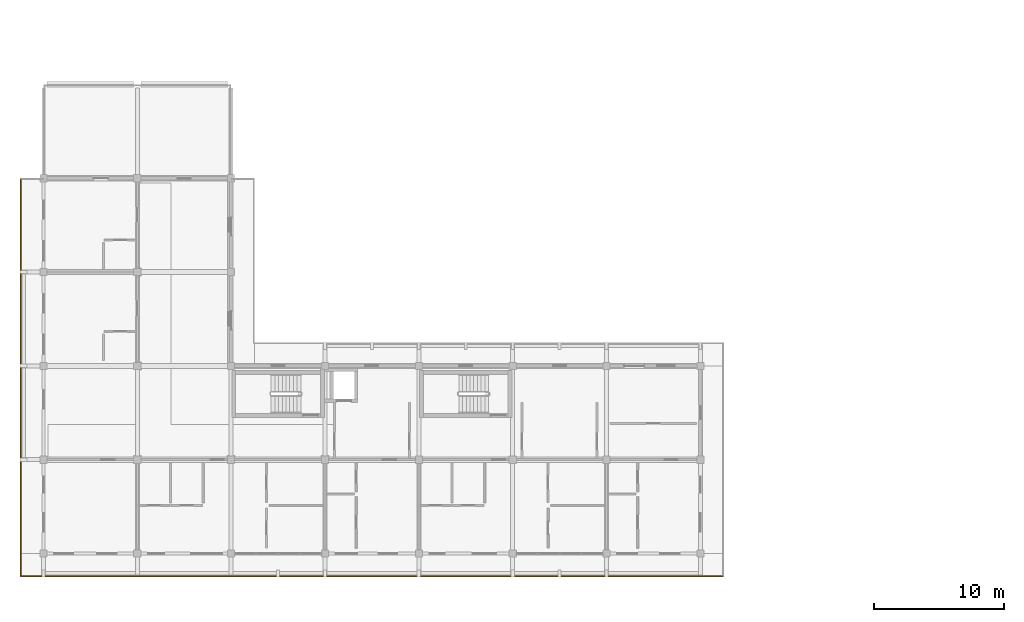
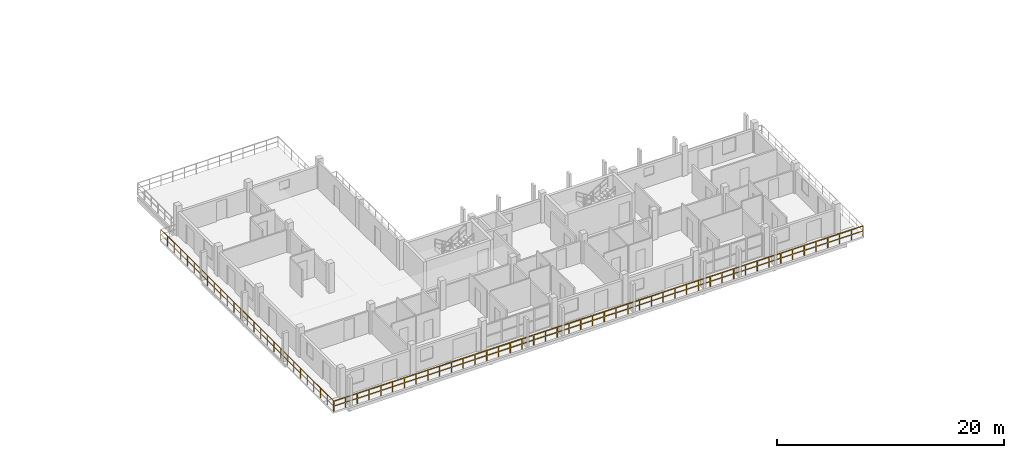
# One storey, part 54 of 67: 2 railings.
"""IFC4 building model written with IfcOpenShell, lengths in metres."""

import ifcopenshell
import ifcopenshell.guid

model = None  # the IFC model being written
_history = None  # IfcOwnerHistory: only IFC2X3 demands one
_inside = {}  # id of a spatial element -> (the spatial element, [elements in it])
_under = {}  # id of a project, library or spatial element -> (it, [spatial elements below it])
_declared = {}  # id of a project -> (the project, [libraries it declares])
_typed = {}  # id of a type object -> (the type object, [elements of that type])
_made_of = {}  # id of a material, layer set ... -> (it, [elements and type objects made of it])


def new_model(schema):
    """Start an empty IFC model of exactly this schema.

    Asked for "IFC4X3", IfcOpenShell would pick the latest addendum, in which some entities
    have other attributes; the version numbers below select the first issue.
    IFC2X3 requires an IfcOwnerHistory on every rooted entity: one is made here for all.
    """
    global model, _history
    if schema == "IFC4X3":
        model = ifcopenshell.file(schema_version=(4, 3, 0, 0))
    else:
        model = ifcopenshell.file(schema=schema)
    _inside.clear()
    _under.clear()
    _declared.clear()
    _typed.clear()
    _made_of.clear()
    _history = None
    if model.schema == "IFC2X3":
        org = make("IfcOrganization", Name="unknown")
        user = make(
            "IfcPersonAndOrganization",
            ThePerson=make("IfcPerson", FamilyName="unknown"),
            TheOrganization=org,
        )
        app = make(
            "IfcApplication",
            ApplicationDeveloper=org,
            Version="unknown",
            ApplicationFullName="unknown",
            ApplicationIdentifier="unknown",
        )
        _history = make(
            "IfcOwnerHistory",
            OwningUser=user,
            OwningApplication=app,
            ChangeAction="ADDED",
            CreationDate=0,
        )
    return model


def make(cls, **values):
    """One entity of the class cls with the attributes given. An attribute that is None is left unset."""
    return model.create_entity(
        cls, **{name: value for name, value in values.items() if value is not None}
    )


def rooted(cls, **values):
    """An entity with a GlobalId (a new one), such as an element, a storey or a relation."""
    return make(cls, GlobalId=ifcopenshell.guid.new(), OwnerHistory=_history, **values)


def si_unit(unit_type, name, prefix=None):
    """IfcSIUnit, for example si_unit("LENGTHUNIT", "METRE", prefix="MILLI")."""
    return make("IfcSIUnit", UnitType=unit_type, Prefix=prefix, Name=name)


def assignment(units):
    """IfcUnitAssignment: the units of a project."""
    return None if units is None else make("IfcUnitAssignment", Units=units)


def point(xyz):
    """IfcCartesianPoint."""
    return None if xyz is None else make("IfcCartesianPoint", Coordinates=xyz)


def direction(xyz):
    """IfcDirection."""
    return None if xyz is None else make("IfcDirection", DirectionRatios=xyz)


def frame(location, z_axis=None, x_axis=None):
    """IfcAxis2Placement3D, a coordinate frame: its origin and axes. An axis left out is left unset."""
    return make(
        "IfcAxis2Placement3D",
        Location=point(location),
        Axis=direction(z_axis),
        RefDirection=direction(x_axis),
    )


def frame_2d(location, x_axis=None):
    """IfcAxis2Placement2D, a coordinate frame in the plane: its origin and x axis."""
    return make(
        "IfcAxis2Placement2D", Location=point(location), RefDirection=direction(x_axis)
    )


def origin():
    """The frame at (0, 0, 0) with its axes left unset."""
    return frame((0.0, 0.0, 0.0))


def origin_2d():
    """The frame at (0, 0) in the plane with its x axis left unset."""
    return frame_2d((0.0, 0.0))


def place(relative_to, where):
    """IfcLocalPlacement: puts the frame where relative to a parent placement (None: the world)."""
    return make(
        "IfcLocalPlacement", PlacementRelTo=relative_to, RelativePlacement=where
    )


def context(
    kind, dimensions, precision=None, world=None, true_north=None, identifier=None
):
    """IfcGeometricRepresentationContext, for example the 3D "Model" context."""
    return make(
        "IfcGeometricRepresentationContext",
        ContextIdentifier=identifier,
        ContextType=kind,
        CoordinateSpaceDimension=dimensions,
        Precision=precision,
        WorldCoordinateSystem=world,
        TrueNorth=true_north,
    )


def subcontext(parent, identifier, kind, view, scale=None):
    """IfcGeometricRepresentationSubContext, for example "Body" below "Model"."""
    return make(
        "IfcGeometricRepresentationSubContext",
        ContextIdentifier=identifier,
        ContextType=kind,
        ParentContext=parent,
        TargetScale=scale,
        TargetView=view,
    )


def project(units=None, contexts=None):
    """IfcProject with its units and contexts."""
    return rooted(
        "IfcProject",
        Name="project",
        RepresentationContexts=contexts,
        UnitsInContext=assignment(units),
    )


def spatial(cls, under=None, at=None, **own):
    """A site, building, storey or space (cls), placed at a placement, below another one or the project."""
    s = rooted(cls, ObjectPlacement=at, **own)
    if under is not None:
        _under.setdefault(under.id(), (under, []))[1].append(s)
    return s


def profile(cls, at=None, kind="AREA", **sizes):
    """A parametric profile (cls). Its sizes go by their IFC names, for example OverallWidth=200.0."""
    return make(cls, ProfileType=kind, Position=at, **sizes)


def rectangle(**sizes):
    """IfcRectangleProfileDef."""
    return profile("IfcRectangleProfileDef", **sizes)


def extrude(swept, where, along, depth):
    """IfcExtrudedAreaSolid: the profile swept, set in the frame where, extruded along a direction by depth."""
    return make(
        "IfcExtrudedAreaSolid",
        SweptArea=swept,
        Position=where,
        ExtrudedDirection=direction(along),
        Depth=depth,
    )


def shape(context_of_items, identifier, shape_type, items):
    """IfcShapeRepresentation: the items that make up one representation, for example the "Body"."""
    return make(
        "IfcShapeRepresentation",
        ContextOfItems=context_of_items,
        RepresentationIdentifier=identifier,
        RepresentationType=shape_type,
        Items=items,
    )


def material(Name=None, Category=None):
    """IfcMaterial."""
    return make("IfcMaterial", Name=Name, Category=Category)


def made_of(thing, what):
    """Note that an element or type object is made of a material, layer set ...; save() writes the relation."""
    if what is not None:
        _made_of.setdefault(what.id(), (what, []))[1].append(thing)
    return thing


def type_object(cls, material=None, **own):
    """A type object (cls), such as IfcWallType, which elements share."""
    return made_of(rooted(cls, **own), material)


def element(
    cls,
    number,
    at=None,
    inside=None,
    cuts=None,
    type_object=None,
    material=None,
    context=None,
    identifier="Body",
    shape_type=None,
    held_by="IfcProductDefinitionShape",
    body=None,
    shapes=None,
    **own,
):
    """One element of the class cls, such as IfcWall. Its Tag is "e" and its number.

    at: its placement. inside: the storey or other place that contains it. cuts: it is an
    opening in that element (IfcRelVoidsElement). A single representation is given by context,
    identifier, shape_type and body (its items); several are given by shapes. held_by: the class
    of the entity that holds the representations. save() writes the other relations.
    """
    e = rooted(cls, Tag="e%d" % number, ObjectPlacement=at, **own)
    if body is not None:
        shapes = [shape(context, identifier, shape_type, body)]
    if shapes is not None:
        e.Representation = make(held_by, Representations=shapes)
    if inside is not None:
        _inside.setdefault(inside.id(), (inside, []))[1].append(e)
    if cuts is not None:
        rooted(
            "IfcRelVoidsElement", RelatingBuildingElement=cuts, RelatedOpeningElement=e
        )
    if type_object is not None:
        _typed.setdefault(type_object.id(), (type_object, []))[1].append(e)
    return made_of(e, material)


def aggregate(whole, parts):
    """IfcRelAggregates: a whole, such as a stair, and the parts it consists of."""
    return rooted("IfcRelAggregates", RelatingObject=whole, RelatedObjects=parts)


def save(model, path):
    """Write the relations noted so far, then the file.

    IfcRelAggregates (storeys below a building ...), IfcRelContainedInSpatialStructure (elements
    in a storey), IfcRelDefinesByType, IfcRelAssociatesMaterial and IfcRelDeclares: one each for
    every whole, place, type object, material and project.
    """
    for whole, parts in _under.values():
        aggregate(whole, parts)
    for where, things in _inside.values():
        rooted(
            "IfcRelContainedInSpatialStructure",
            RelatedElements=things,
            RelatingStructure=where,
        )
    for kind, things in _typed.values():
        rooted("IfcRelDefinesByType", RelatedObjects=things, RelatingType=kind)
    for what, things in _made_of.values():
        rooted("IfcRelAssociatesMaterial", RelatedObjects=things, RelatingMaterial=what)
    for by, libraries in _declared.values():
        rooted("IfcRelDeclares", RelatingContext=by, RelatedDefinitions=libraries)
    model.write(path)


model = new_model("IFC4")

# Units and contexts
model_context = context("Model", 3, precision=1e-05, world=origin(), true_north=direction((0.0, 1.0)))
body_context = subcontext(model_context, "Body", "Model", "MODEL_VIEW")
ifc_project = project(units=[si_unit("LENGTHUNIT", "METRE"), si_unit("AREAUNIT", "SQUARE_METRE"), si_unit("VOLUMEUNIT", "CUBIC_METRE"), si_unit("PLANEANGLEUNIT", "RADIAN"), si_unit("MASSUNIT", "GRAM", prefix="KILO")], contexts=[model_context])

# Site, building, storey
site_placement = place(None, origin())
site = spatial("IfcSite", under=ifc_project, at=site_placement, CompositionType="ELEMENT")
building_placement = place(site_placement, origin())
building = spatial("IfcBuilding", under=site, at=building_placement, Name="Suanplinth Sawtooth Commons", CompositionType="ELEMENT")
storey_placement = place(building_placement, frame((0.0, 0.0, 25.10009765625)))
storey = spatial("IfcBuildingStorey", under=building, at=storey_placement, Name="L07", CompositionType="ELEMENT", Elevation=25.10009765625)

# Railings
ifc_material = material(Name="Powder-coated galvanized steel", Category="steel")
railing_type = type_object("IfcRailingType", Name="GR-01", PredefinedType="BALUSTRADE", material=ifc_material)
railing_1_placement = place(storey_placement, frame((-1.739990234375, -1.739990234375, 0.0)))
element("IfcRailing", 1, at=railing_1_placement, inside=storey, type_object=railing_type, Name="L07 Block D Perimeter Balustrade 1", PredefinedType="BALUSTRADE", context=body_context, shape_type="SweptSolid", body=[
    extrude(rectangle(XDim=0.048095703125, YDim=0.048095703125, at=origin_2d()), frame((0.0, 0.0, 1.09619140625), z_axis=(0.0, 1.0, 0.0), x_axis=(-1.0, 0.0, 0.0)), (0.0, 0.0, 1.0), 30.47998046875),
    extrude(rectangle(XDim=0.03369140625, YDim=0.03369140625, at=origin_2d()), frame((0.0, 0.0, 0.56005859375), z_axis=(0.0, 1.0, 0.0), x_axis=(-1.0, 0.0, 0.0)), (0.0, 0.0, 1.0), 30.47998046875),
    extrude(rectangle(XDim=0.0419921875, YDim=0.0419921875, at=origin_2d()), origin(), (0.0, 0.0, 1.0), 1.072021484375),
    extrude(rectangle(XDim=0.0419921875, YDim=0.0419921875, at=origin_2d()), frame((0.0, 1.17236328125, 0.0)), (0.0, 0.0, 1.0), 1.072021484375),
    extrude(rectangle(XDim=0.0419921875, YDim=0.0419921875, at=origin_2d()), frame((0.0, 2.3447265625, 0.0)), (0.0, 0.0, 1.0), 1.072021484375),
    extrude(rectangle(XDim=0.0419921875, YDim=0.0419921875, at=origin_2d()), frame((0.0, 3.516845703125, 0.0)), (0.0, 0.0, 1.0), 1.072021484375),
    extrude(rectangle(XDim=0.0419921875, YDim=0.0419921875, at=origin_2d()), frame((0.0, 4.689208984375, 0.0)), (0.0, 0.0, 1.0), 1.072021484375),
    extrude(rectangle(XDim=0.0419921875, YDim=0.0419921875, at=origin_2d()), frame((0.0, 5.861572265625, 0.0)), (0.0, 0.0, 1.0), 1.072021484375),
    extrude(rectangle(XDim=0.0419921875, YDim=0.0419921875, at=origin_2d()), frame((0.0, 7.033935546875, 0.0)), (0.0, 0.0, 1.0), 1.072021484375),
    extrude(rectangle(XDim=0.0419921875, YDim=0.0419921875, at=origin_2d()), frame((0.0, 8.2060546875, 0.0)), (0.0, 0.0, 1.0), 1.072021484375),
    extrude(rectangle(XDim=0.0419921875, YDim=0.0419921875, at=origin_2d()), frame((0.0, 9.37841796875, 0.0)), (0.0, 0.0, 1.0), 1.072021484375),
    extrude(rectangle(XDim=0.0419921875, YDim=0.0419921875, at=origin_2d()), frame((0.0, 10.55078125, 0.0)), (0.0, 0.0, 1.0), 1.072021484375),
    extrude(rectangle(XDim=0.0419921875, YDim=0.0419921875, at=origin_2d()), frame((0.0, 11.72314453125, 0.0)), (0.0, 0.0, 1.0), 1.072021484375),
    extrude(rectangle(XDim=0.0419921875, YDim=0.0419921875, at=origin_2d()), frame((0.0, 12.895263671875, 0.0)), (0.0, 0.0, 1.0), 1.072021484375),
    extrude(rectangle(XDim=0.0419921875, YDim=0.0419921875, at=origin_2d()), frame((0.0, 14.067626953125, 0.0)), (0.0, 0.0, 1.0), 1.072021484375),
    extrude(rectangle(XDim=0.0419921875, YDim=0.0419921875, at=origin_2d()), frame((0.0, 15.239990234375, 0.0)), (0.0, 0.0, 1.0), 1.072021484375),
    extrude(rectangle(XDim=0.0419921875, YDim=0.0419921875, at=origin_2d()), frame((0.0, 16.412353515625, 0.0)), (0.0, 0.0, 1.0), 1.072021484375),
    extrude(rectangle(XDim=0.0419921875, YDim=0.0419921875, at=origin_2d()), frame((0.0, 17.584716796875, 0.0)), (0.0, 0.0, 1.0), 1.072021484375),
    extrude(rectangle(XDim=0.0419921875, YDim=0.0419921875, at=origin_2d()), frame((0.0, 18.7568359375, 0.0)), (0.0, 0.0, 1.0), 1.072021484375),
    extrude(rectangle(XDim=0.0419921875, YDim=0.0419921875, at=origin_2d()), frame((0.0, 19.92919921875, 0.0)), (0.0, 0.0, 1.0), 1.072021484375),
    extrude(rectangle(XDim=0.0419921875, YDim=0.0419921875, at=origin_2d()), frame((0.0, 21.1015625, 0.0)), (0.0, 0.0, 1.0), 1.072021484375),
    extrude(rectangle(XDim=0.0419921875, YDim=0.0419921875, at=origin_2d()), frame((0.0, 22.27392578125, 0.0)), (0.0, 0.0, 1.0), 1.072021484375),
    extrude(rectangle(XDim=0.0419921875, YDim=0.0419921875, at=origin_2d()), frame((0.0, 23.446044921875, 0.0)), (0.0, 0.0, 1.0), 1.072021484375),
    extrude(rectangle(XDim=0.0419921875, YDim=0.0419921875, at=origin_2d()), frame((0.0, 24.618408203125, 0.0)), (0.0, 0.0, 1.0), 1.072021484375),
    extrude(rectangle(XDim=0.0419921875, YDim=0.0419921875, at=origin_2d()), frame((0.0, 25.790771484375, 0.0)), (0.0, 0.0, 1.0), 1.072021484375),
    extrude(rectangle(XDim=0.0419921875, YDim=0.0419921875, at=origin_2d()), frame((0.0, 26.963134765625, 0.0)), (0.0, 0.0, 1.0), 1.072021484375),
    extrude(rectangle(XDim=0.0419921875, YDim=0.0419921875, at=origin_2d()), frame((0.0, 28.13525390625, 0.0)), (0.0, 0.0, 1.0), 1.072021484375),
    extrude(rectangle(XDim=0.0419921875, YDim=0.0419921875, at=origin_2d()), frame((0.0, 29.3076171875, 0.0)), (0.0, 0.0, 1.0), 1.072021484375),
    extrude(rectangle(XDim=0.0419921875, YDim=0.0419921875, at=origin_2d()), frame((0.0, 30.47998046875, 0.0)), (0.0, 0.0, 1.0), 1.072021484375),
])
railing_2_placement = place(storey_placement, frame((52.139892578125, -1.739990234375, 0.0)))
element("IfcRailing", 2, at=railing_2_placement, inside=storey, type_object=railing_type, Name="L07 Block D Perimeter Balustrade 10", PredefinedType="BALUSTRADE", context=body_context, shape_type="SweptSolid", body=[
    extrude(rectangle(XDim=0.048095703125, YDim=0.048095703125, at=origin_2d()), frame((0.0, 0.0, 1.09619140625), z_axis=(-1.0, 0.0, 0.0), x_axis=(0.0, -1.0, 0.0)), (0.0, 0.0, 1.0), 53.8798828125),
    extrude(rectangle(XDim=0.03369140625, YDim=0.03369140625, at=origin_2d()), frame((0.0, 0.0, 0.56005859375), z_axis=(-1.0, 0.0, 0.0), x_axis=(0.0, -1.0, 0.0)), (0.0, 0.0, 1.0), 53.8798828125),
    extrude(rectangle(XDim=0.0419921875, YDim=0.0419921875, at=origin_2d()), origin(), (0.0, 0.0, 1.0), 1.072021484375),
    extrude(rectangle(XDim=0.0419921875, YDim=0.0419921875, at=origin_2d()), frame((-1.197265625, 0.0, 0.0)), (0.0, 0.0, 1.0), 1.072021484375),
    extrude(rectangle(XDim=0.0419921875, YDim=0.0419921875, at=origin_2d()), frame((-2.394775390625, 0.0, 0.0)), (0.0, 0.0, 1.0), 1.072021484375),
    extrude(rectangle(XDim=0.0419921875, YDim=0.0419921875, at=origin_2d()), frame((-3.592041015625, 0.0, 0.0)), (0.0, 0.0, 1.0), 1.072021484375),
    extrude(rectangle(XDim=0.0419921875, YDim=0.0419921875, at=origin_2d()), frame((-4.789306640625, 0.0, 0.0)), (0.0, 0.0, 1.0), 1.072021484375),
    extrude(rectangle(XDim=0.0419921875, YDim=0.0419921875, at=origin_2d()), frame((-5.986572265625, 0.0, 0.0)), (0.0, 0.0, 1.0), 1.072021484375),
    extrude(rectangle(XDim=0.0419921875, YDim=0.0419921875, at=origin_2d()), frame((-7.18408203125, 0.0, 0.0)), (0.0, 0.0, 1.0), 1.072021484375),
    extrude(rectangle(XDim=0.0419921875, YDim=0.0419921875, at=origin_2d()), frame((-8.38134765625, 0.0, 0.0)), (0.0, 0.0, 1.0), 1.072021484375),
    extrude(rectangle(XDim=0.0419921875, YDim=0.0419921875, at=origin_2d()), frame((-9.57861328125, 0.0, 0.0)), (0.0, 0.0, 1.0), 1.072021484375),
    extrude(rectangle(XDim=0.0419921875, YDim=0.0419921875, at=origin_2d()), frame((-10.77587890625, 0.0, 0.0)), (0.0, 0.0, 1.0), 1.072021484375),
    extrude(rectangle(XDim=0.0419921875, YDim=0.0419921875, at=origin_2d()), frame((-11.973388671875, 0.0, 0.0)), (0.0, 0.0, 1.0), 1.072021484375),
    extrude(rectangle(XDim=0.0419921875, YDim=0.0419921875, at=origin_2d()), frame((-13.170654296875, 0.0, 0.0)), (0.0, 0.0, 1.0), 1.072021484375),
    extrude(rectangle(XDim=0.0419921875, YDim=0.0419921875, at=origin_2d()), frame((-14.367919921875, 0.0, 0.0)), (0.0, 0.0, 1.0), 1.072021484375),
    extrude(rectangle(XDim=0.0419921875, YDim=0.0419921875, at=origin_2d()), frame((-15.565185546875, 0.0, 0.0)), (0.0, 0.0, 1.0), 1.072021484375),
    extrude(rectangle(XDim=0.0419921875, YDim=0.0419921875, at=origin_2d()), frame((-16.7626953125, 0.0, 0.0)), (0.0, 0.0, 1.0), 1.072021484375),
    extrude(rectangle(XDim=0.0419921875, YDim=0.0419921875, at=origin_2d()), frame((-17.9599609375, 0.0, 0.0)), (0.0, 0.0, 1.0), 1.072021484375),
    extrude(rectangle(XDim=0.0419921875, YDim=0.0419921875, at=origin_2d()), frame((-19.1572265625, 0.0, 0.0)), (0.0, 0.0, 1.0), 1.072021484375),
    extrude(rectangle(XDim=0.0419921875, YDim=0.0419921875, at=origin_2d()), frame((-20.354736328125, 0.0, 0.0)), (0.0, 0.0, 1.0), 1.072021484375),
    extrude(rectangle(XDim=0.0419921875, YDim=0.0419921875, at=origin_2d()), frame((-21.552001953125, 0.0, 0.0)), (0.0, 0.0, 1.0), 1.072021484375),
    extrude(rectangle(XDim=0.0419921875, YDim=0.0419921875, at=origin_2d()), frame((-22.749267578125, 0.0, 0.0)), (0.0, 0.0, 1.0), 1.072021484375),
    extrude(rectangle(XDim=0.0419921875, YDim=0.0419921875, at=origin_2d()), frame((-23.946533203125, 0.0, 0.0)), (0.0, 0.0, 1.0), 1.072021484375),
    extrude(rectangle(XDim=0.0419921875, YDim=0.0419921875, at=origin_2d()), frame((-25.14404296875, 0.0, 0.0)), (0.0, 0.0, 1.0), 1.072021484375),
    extrude(rectangle(XDim=0.0419921875, YDim=0.0419921875, at=origin_2d()), frame((-26.34130859375, 0.0, 0.0)), (0.0, 0.0, 1.0), 1.072021484375),
    extrude(rectangle(XDim=0.0419921875, YDim=0.0419921875, at=origin_2d()), frame((-27.53857421875, 0.0, 0.0)), (0.0, 0.0, 1.0), 1.072021484375),
    extrude(rectangle(XDim=0.0419921875, YDim=0.0419921875, at=origin_2d()), frame((-28.73583984375, 0.0, 0.0)), (0.0, 0.0, 1.0), 1.072021484375),
    extrude(rectangle(XDim=0.0419921875, YDim=0.0419921875, at=origin_2d()), frame((-29.933349609375, 0.0, 0.0)), (0.0, 0.0, 1.0), 1.072021484375),
    extrude(rectangle(XDim=0.0419921875, YDim=0.0419921875, at=origin_2d()), frame((-31.130615234375, 0.0, 0.0)), (0.0, 0.0, 1.0), 1.072021484375),
    extrude(rectangle(XDim=0.0419921875, YDim=0.0419921875, at=origin_2d()), frame((-32.327880859375, 0.0, 0.0)), (0.0, 0.0, 1.0), 1.072021484375),
    extrude(rectangle(XDim=0.0419921875, YDim=0.0419921875, at=origin_2d()), frame((-33.525146484375, 0.0, 0.0)), (0.0, 0.0, 1.0), 1.072021484375),
    extrude(rectangle(XDim=0.0419921875, YDim=0.0419921875, at=origin_2d()), frame((-34.72265625, 0.0, 0.0)), (0.0, 0.0, 1.0), 1.072021484375),
    extrude(rectangle(XDim=0.0419921875, YDim=0.0419921875, at=origin_2d()), frame((-35.919921875, 0.0, 0.0)), (0.0, 0.0, 1.0), 1.072021484375),
    extrude(rectangle(XDim=0.0419921875, YDim=0.0419921875, at=origin_2d()), frame((-37.1171875, 0.0, 0.0)), (0.0, 0.0, 1.0), 1.072021484375),
    extrude(rectangle(XDim=0.0419921875, YDim=0.0419921875, at=origin_2d()), frame((-38.314697265625, 0.0, 0.0)), (0.0, 0.0, 1.0), 1.072021484375),
    extrude(rectangle(XDim=0.0419921875, YDim=0.0419921875, at=origin_2d()), frame((-39.511962890625, 0.0, 0.0)), (0.0, 0.0, 1.0), 1.072021484375),
    extrude(rectangle(XDim=0.0419921875, YDim=0.0419921875, at=origin_2d()), frame((-40.709228515625, 0.0, 0.0)), (0.0, 0.0, 1.0), 1.072021484375),
    extrude(rectangle(XDim=0.0419921875, YDim=0.0419921875, at=origin_2d()), frame((-41.906494140625, 0.0, 0.0)), (0.0, 0.0, 1.0), 1.072021484375),
    extrude(rectangle(XDim=0.0419921875, YDim=0.0419921875, at=origin_2d()), frame((-43.10400390625, 0.0, 0.0)), (0.0, 0.0, 1.0), 1.072021484375),
    extrude(rectangle(XDim=0.0419921875, YDim=0.0419921875, at=origin_2d()), frame((-44.30126953125, 0.0, 0.0)), (0.0, 0.0, 1.0), 1.072021484375),
    extrude(rectangle(XDim=0.0419921875, YDim=0.0419921875, at=origin_2d()), frame((-45.49853515625, 0.0, 0.0)), (0.0, 0.0, 1.0), 1.072021484375),
    extrude(rectangle(XDim=0.0419921875, YDim=0.0419921875, at=origin_2d()), frame((-46.69580078125, 0.0, 0.0)), (0.0, 0.0, 1.0), 1.072021484375),
    extrude(rectangle(XDim=0.0419921875, YDim=0.0419921875, at=origin_2d()), frame((-47.893310546875, 0.0, 0.0)), (0.0, 0.0, 1.0), 1.072021484375),
    extrude(rectangle(XDim=0.0419921875, YDim=0.0419921875, at=origin_2d()), frame((-49.090576171875, 0.0, 0.0)), (0.0, 0.0, 1.0), 1.072021484375),
    extrude(rectangle(XDim=0.0419921875, YDim=0.0419921875, at=origin_2d()), frame((-50.287841796875, 0.0, 0.0)), (0.0, 0.0, 1.0), 1.072021484375),
    extrude(rectangle(XDim=0.0419921875, YDim=0.0419921875, at=origin_2d()), frame((-51.485107421875, 0.0, 0.0)), (0.0, 0.0, 1.0), 1.072021484375),
    extrude(rectangle(XDim=0.0419921875, YDim=0.0419921875, at=origin_2d()), frame((-52.6826171875, 0.0, 0.0)), (0.0, 0.0, 1.0), 1.072021484375),
    extrude(rectangle(XDim=0.0419921875, YDim=0.0419921875, at=origin_2d()), frame((-53.8798828125, 0.0, 0.0)), (0.0, 0.0, 1.0), 1.072021484375),
])

save(model, "model.ifc")
